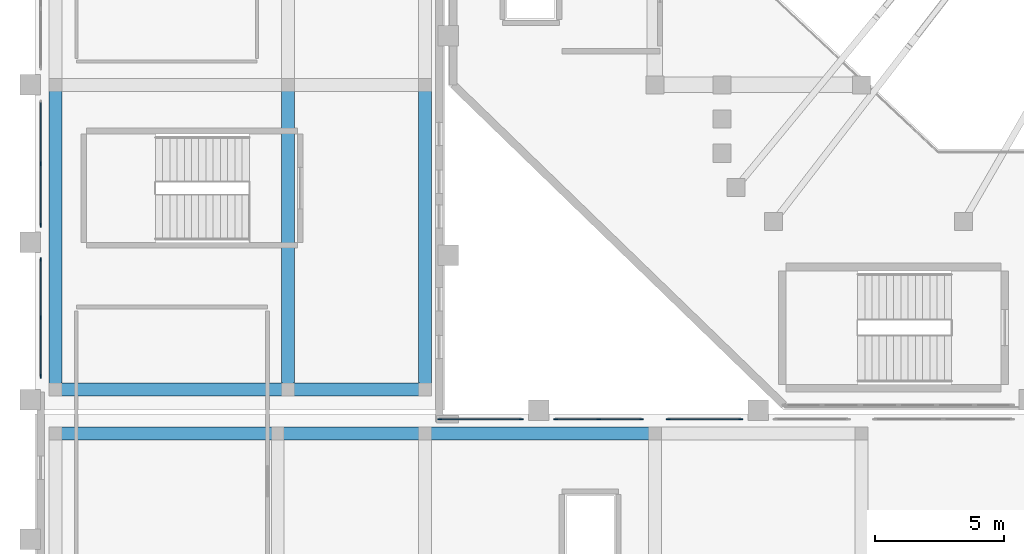
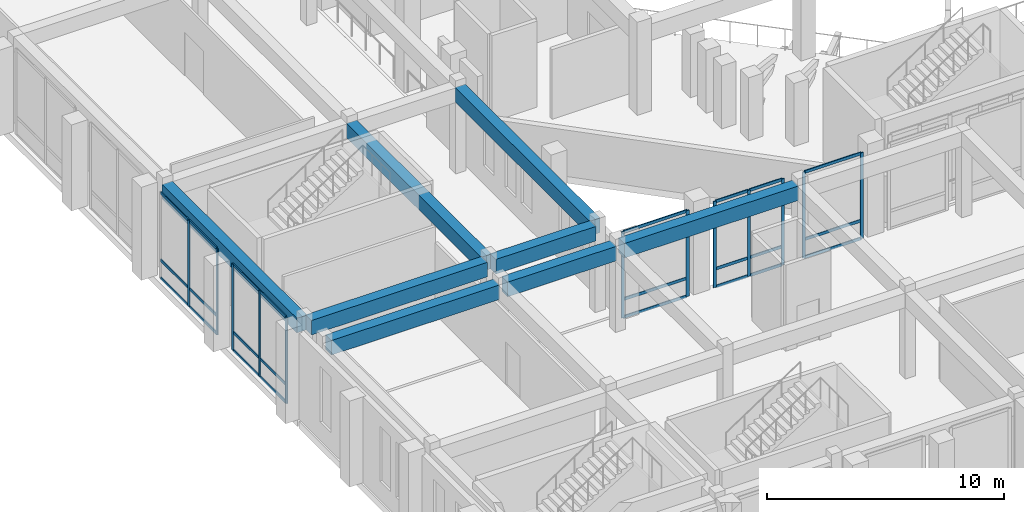
# One storey, part 5 of 79: 36 members, 8 beams, 5 elements without a shape of their own.
"""IFC4 building model written with IfcOpenShell, lengths in metres."""

from ifc_helpers import new_model, si_unit, derived_unit, direction, frame, origin, origin_2d, place, context, subcontext, project, spatial, rectangle, extrude, material, layer, layer_set, material_profile, profile_set, type_object, element, aggregate, save


model = new_model("IFC4")

# Units and contexts
model_context = context("Model", 3, precision=1e-05, world=origin(), true_north=direction((0.0, 1.0)))
body_context = subcontext(model_context, "Body", "Model", "MODEL_VIEW")
ifc_project = project(units=[si_unit("LENGTHUNIT", "METRE"), si_unit("AREAUNIT", "SQUARE_METRE"), si_unit("VOLUMEUNIT", "CUBIC_METRE"), si_unit("PLANEANGLEUNIT", "RADIAN"), si_unit("MASSUNIT", "GRAM", prefix="KILO"), derived_unit("THERMALTRANSMITTANCEUNIT", [(si_unit("MASSUNIT", "GRAM", prefix="KILO"), 1), (si_unit("TIMEUNIT", "SECOND"), -3), (si_unit("THERMODYNAMICTEMPERATUREUNIT", "KELVIN"), -1)])], contexts=[model_context])

# Site, building, storey
site_placement = place(None, origin())
site = spatial("IfcSite", under=ifc_project, at=site_placement, CompositionType="ELEMENT")
building_placement = place(site_placement, origin())
building = spatial("IfcBuilding", under=site, at=building_placement, Name="Valcora Ridge Arena", CompositionType="ELEMENT")
storey_placement = place(building_placement, frame((0.0, 0.0, 16.199951171875)))
storey = spatial("IfcBuildingStorey", under=building, at=storey_placement, Name="L03", CompositionType="ELEMENT", Elevation=16.199951171875)

# Beams
ifc_material_1 = material(Name="Concrete C40/50", Category="concrete")
ifc_material_profile_1 = material_profile(ifc_material_1, rectangle(XDim=0.5, YDim=0.75, at=origin_2d()), Name="RC 500x750")
ifc_profile_set_1 = profile_set([ifc_material_profile_1], Name="Concrete C40/50")
beam_type_1 = type_object("IfcBeamType", Name="TY-BEAM-B-RC500-X", PredefinedType="BEAM", material=ifc_profile_set_1)
beam_1_placement = place(storey_placement, frame((1.0, 19.10009765625, 4.06494140625), z_axis=(1.0, 0.0, 0.0), x_axis=(0.0, 1.0, 0.0)))
element("IfcBeam", 1, at=beam_1_placement, inside=storey, type_object=beam_type_1, Name="B-RC500-X BEM-B-RC500-X-0079", PredefinedType="BEAM", context=body_context, shape_type="SweptSolid", body=[
    extrude(rectangle(XDim=0.5, YDim=0.75, at=origin_2d()), origin(), (0.0, 0.0, 1.0), 8.199951171875),
])
beam_2_placement = place(storey_placement, frame((9.60009765625, 19.10009765625, 4.06494140625), z_axis=(1.0, 0.0, 0.0), x_axis=(0.0, 1.0, 0.0)))
element("IfcBeam", 2, at=beam_2_placement, inside=storey, type_object=beam_type_1, Name="B-RC500-X BEM-B-RC500-X-0080", PredefinedType="BEAM", context=body_context, shape_type="SweptSolid", body=[
    extrude(rectangle(XDim=0.5, YDim=0.75, at=origin_2d()), origin(), (0.0, 0.0, 1.0), 5.2998046875),
])
beam_3_placement = place(storey_placement, frame((15.300048828125, 19.10009765625, 4.06494140625), z_axis=(1.0, 0.0, 0.0), x_axis=(0.0, 1.0, 0.0)))
element("IfcBeam", 3, at=beam_3_placement, inside=storey, type_object=beam_type_1, Name="B-RC500-X BEM-B-RC500-X-0081", PredefinedType="BEAM", context=body_context, shape_type="SweptSolid", body=[
    extrude(rectangle(XDim=0.5, YDim=0.75, at=origin_2d()), origin(), (0.0, 0.0, 1.0), 8.5),
])
beam_4_placement = place(storey_placement, frame((1.0, 20.800048828125, 4.06494140625), z_axis=(1.0, 0.0, 0.0), x_axis=(0.0, 1.0, 0.0)))
element("IfcBeam", 4, at=beam_4_placement, inside=storey, type_object=beam_type_1, Name="B-RC500-X BEM-B-RC500-X-0083", PredefinedType="BEAM", context=body_context, shape_type="SweptSolid", body=[
    extrude(rectangle(XDim=0.5, YDim=0.75, at=origin_2d()), origin(), (0.0, 0.0, 1.0), 8.60009765625),
])
beam_5_placement = place(storey_placement, frame((10.0, 20.800048828125, 4.06494140625), z_axis=(1.0, 0.0, 0.0), x_axis=(0.0, 1.0, 0.0)))
element("IfcBeam", 5, at=beam_5_placement, inside=storey, type_object=beam_type_1, Name="B-RC500-X BEM-B-RC500-X-0084", PredefinedType="BEAM", context=body_context, shape_type="SweptSolid", body=[
    extrude(rectangle(XDim=0.5, YDim=0.75, at=origin_2d()), origin(), (0.0, 0.0, 1.0), 4.89990234375),
])
ifc_material_profile_2 = material_profile(ifc_material_1, rectangle(XDim=0.5, YDim=0.75, at=origin_2d()), Name="RC 500x750")
ifc_profile_set_2 = profile_set([ifc_material_profile_2], Name="Concrete C40/50")
beam_type_2 = type_object("IfcBeamType", Name="TY-BEAM-B-RC500-Y", PredefinedType="BEAM", material=ifc_profile_set_2)
for number, where, z_axis, x_axis, name in (
    (6, (0.800048828125, 21.0, 4.06494140625), (0.0, 1.0, 0.0), (-1.0, 0.0, 0.0), "B-RC500-Y BEM-B-RC500-Y-0094"),
    (7, (9.800048828125, 21.0, 4.06494140625), (0.0, 1.0, 0.0), (-1.0, 0.0, 0.0), "B-RC500-Y BEM-B-RC500-Y-0098"),
    (8, (15.10009765625, 21.0, 4.06494140625), (0.0, 1.0, 0.0), (-1.0, 0.0, 0.0), "B-RC500-Y BEM-B-RC500-Y-0101"),
):
    element("IfcBeam", number, at=place(storey_placement, frame(where, z_axis=z_axis, x_axis=x_axis)), inside=storey, type_object=beam_type_2, Name=name, PredefinedType="BEAM", context=body_context, shape_type="SweptSolid", body=[
        extrude(rectangle(XDim=0.5, YDim=0.75, at=origin_2d()), origin(), (0.0, 0.0, 1.0), 11.39990234375),
    ])

# Curtain wall, members
ifc_material_2 = material(Name="Anodised dark bronze architectural aluminium 6063-T6", Category="aluminium")
ifc_layer_1 = layer(ifc_material_2, 0.14990234375, Name="Anodised dark bronze architectural aluminium 6063-T6")
ifc_layer_set_1 = layer_set([ifc_layer_1], Name="Anodised dark bronze architectural aluminium 6063-T6")
curtain_wall_type_1 = type_object("IfcCurtainWallType", Name="TY-CURTAINWALL-CW-V4-CLUB-032X44", PredefinedType="NOTDEFINED", material=ifc_layer_set_1)
curtain_wall_1_placement = place(storey_placement, origin())
curtain_wall_1 = element("IfcCurtainWall", 9, at=curtain_wall_1_placement, inside=storey, type_object=curtain_wall_type_1, Name="CW-V4-CLUB-032X44 CW-0279", PredefinedType="NOTDEFINED")
ifc_material_profile_3 = material_profile(ifc_material_2, rectangle(XDim=0.050048828125, YDim=0.14990234375, at=origin_2d()), Name="ALU MULLION 50x150")
ifc_profile_set_3 = profile_set([ifc_material_profile_3], Name="Anodised dark bronze architectural aluminium 6063-T6")
member_type_1 = type_object("IfcMemberType", Name="TY-MEM-CWM-50x150", PredefinedType="MULLION", material=ifc_profile_set_3)
member_1_placement = place(storey_placement, frame((15.675048828125, 19.64990234375, 0.0), z_axis=(0.0, 0.0, 1.0), x_axis=(0.0, 1.0, 0.0)))
member_1 = element("IfcMember", 10, at=member_1_placement, type_object=member_type_1, Name="CW-0279/CWM-50x150/M00", PredefinedType="MULLION", context=body_context, shape_type="SweptSolid", body=[
    extrude(rectangle(XDim=0.050048828125, YDim=0.14990234375, at=origin_2d()), origin(), (0.0, 0.0, 1.0), 4.43994140625),
])
member_2_placement = place(storey_placement, frame((18.8349609375, 19.64990234375, 0.0), z_axis=(0.0, 0.0, 1.0), x_axis=(0.0, 1.0, 0.0)))
member_2 = element("IfcMember", 11, at=member_2_placement, type_object=member_type_1, Name="CW-0279/CWM-50x150/M01", PredefinedType="MULLION", context=body_context, shape_type="SweptSolid", body=[
    extrude(rectangle(XDim=0.050048828125, YDim=0.14990234375, at=origin_2d()), origin(), (0.0, 0.0, 1.0), 4.43994140625),
])

ifc_layer_2 = layer(ifc_material_2, 0.14990234375, Name="Anodised dark bronze architectural aluminium 6063-T6")
ifc_layer_set_2 = layer_set([ifc_layer_2], Name="Anodised dark bronze architectural aluminium 6063-T6")
curtain_wall_type_2 = type_object("IfcCurtainWallType", Name="TY-CURTAINWALL-CW-V4-CLUB-034X44", PredefinedType="NOTDEFINED", material=ifc_layer_set_2)
curtain_wall_2_placement = place(storey_placement, origin())
curtain_wall_2 = element("IfcCurtainWall", 12, at=curtain_wall_2_placement, inside=storey, type_object=curtain_wall_type_2, Name="CW-V4-CLUB-034X44 CW-0280", PredefinedType="NOTDEFINED")
member_3_placement = place(storey_placement, frame((20.1650390625, 19.64990234375, 0.0), z_axis=(0.0, 0.0, 1.0), x_axis=(0.0, 1.0, 0.0)))
member_3 = element("IfcMember", 13, at=member_3_placement, type_object=member_type_1, Name="CW-0280/CWM-50x150/M00", PredefinedType="MULLION", context=body_context, shape_type="SweptSolid", body=[
    extrude(rectangle(XDim=0.050048828125, YDim=0.14990234375, at=origin_2d()), origin(), (0.0, 0.0, 1.0), 4.43994140625),
])
member_4_placement = place(storey_placement, frame((21.824951171875, 19.64990234375, 0.0), z_axis=(0.0, 0.0, 1.0), x_axis=(0.0, 1.0, 0.0)))
member_4 = element("IfcMember", 14, at=member_4_placement, type_object=member_type_1, Name="CW-0280/CWM-50x150/M01", PredefinedType="MULLION", context=body_context, shape_type="SweptSolid", body=[
    extrude(rectangle(XDim=0.050048828125, YDim=0.14990234375, at=origin_2d()), origin(), (0.0, 0.0, 1.0), 4.43994140625),
])
member_5_placement = place(storey_placement, frame((23.485107421875, 19.64990234375, 0.0), z_axis=(0.0, 0.0, 1.0), x_axis=(0.0, 1.0, 0.0)))
member_5 = element("IfcMember", 15, at=member_5_placement, type_object=member_type_1, Name="CW-0280/CWM-50x150/M02", PredefinedType="MULLION", context=body_context, shape_type="SweptSolid", body=[
    extrude(rectangle(XDim=0.050048828125, YDim=0.14990234375, at=origin_2d()), origin(), (0.0, 0.0, 1.0), 4.43994140625),
])

ifc_layer_3 = layer(ifc_material_2, 0.14990234375, Name="Anodised dark bronze architectural aluminium 6063-T6")
ifc_layer_set_3 = layer_set([ifc_layer_3], Name="Anodised dark bronze architectural aluminium 6063-T6")
curtain_wall_type_3 = type_object("IfcCurtainWallType", Name="TY-CURTAINWALL-CW-V4-CLUB-029X44", PredefinedType="NOTDEFINED", material=ifc_layer_set_3)
curtain_wall_3_placement = place(storey_placement, origin())
curtain_wall_3 = element("IfcCurtainWall", 16, at=curtain_wall_3_placement, inside=storey, type_object=curtain_wall_type_3, Name="CW-V4-CLUB-029X44 CW-0281", PredefinedType="NOTDEFINED")
member_6_placement = place(storey_placement, frame((24.514892578125, 19.64990234375, 0.0), z_axis=(0.0, 0.0, 1.0), x_axis=(0.0, 1.0, 0.0)))
member_6 = element("IfcMember", 17, at=member_6_placement, type_object=member_type_1, Name="CW-0281/CWM-50x150/M00", PredefinedType="MULLION", context=body_context, shape_type="SweptSolid", body=[
    extrude(rectangle(XDim=0.050048828125, YDim=0.14990234375, at=origin_2d()), origin(), (0.0, 0.0, 1.0), 4.43994140625),
])
member_7_placement = place(storey_placement, frame((27.3349609375, 19.64990234375, 0.0), z_axis=(0.0, 0.0, 1.0), x_axis=(0.0, 1.0, 0.0)))
member_7 = element("IfcMember", 18, at=member_7_placement, type_object=member_type_1, Name="CW-0281/CWM-50x150/M01", PredefinedType="MULLION", context=body_context, shape_type="SweptSolid", body=[
    extrude(rectangle(XDim=0.050048828125, YDim=0.14990234375, at=origin_2d()), origin(), (0.0, 0.0, 1.0), 4.43994140625),
])

ifc_layer_4 = layer(ifc_material_2, 0.14990234375, Name="Anodised dark bronze architectural aluminium 6063-T6")
ifc_layer_set_4 = layer_set([ifc_layer_4], Name="Anodised dark bronze architectural aluminium 6063-T6")
curtain_wall_type_4 = type_object("IfcCurtainWallType", Name="TY-CURTAINWALL-CW-V4-CLUB-046X44", PredefinedType="NOTDEFINED", material=ifc_layer_set_4)
curtain_wall_4_placement = place(storey_placement, origin())
curtain_wall_4 = element("IfcCurtainWall", 19, at=curtain_wall_4_placement, inside=storey, type_object=curtain_wall_type_4, Name="CW-V4-CLUB-046X44 CW-0285", PredefinedType="NOTDEFINED")
member_8_placement = place(storey_placement, frame((0.219970703125, 21.31494140625, 0.0), z_axis=(0.0, 0.0, 1.0), x_axis=(-1.0, 0.0, 0.0)))
member_8 = element("IfcMember", 20, at=member_8_placement, type_object=member_type_1, Name="CW-0285/CWM-50x150/M00", PredefinedType="MULLION", context=body_context, shape_type="SweptSolid", body=[
    extrude(rectangle(XDim=0.050048828125, YDim=0.14990234375, at=origin_2d()), origin(), (0.0, 0.0, 1.0), 4.43994140625),
])
member_9_placement = place(storey_placement, frame((0.219970703125, 23.574951171875, 0.0), z_axis=(0.0, 0.0, 1.0), x_axis=(-1.0, 0.0, 0.0)))
member_9 = element("IfcMember", 21, at=member_9_placement, type_object=member_type_1, Name="CW-0285/CWM-50x150/M01", PredefinedType="MULLION", context=body_context, shape_type="SweptSolid", body=[
    extrude(rectangle(XDim=0.050048828125, YDim=0.14990234375, at=origin_2d()), origin(), (0.0, 0.0, 1.0), 4.43994140625),
])
member_10_placement = place(storey_placement, frame((0.219970703125, 25.8349609375, 0.0), z_axis=(0.0, 0.0, 1.0), x_axis=(-1.0, 0.0, 0.0)))
member_10 = element("IfcMember", 22, at=member_10_placement, type_object=member_type_1, Name="CW-0285/CWM-50x150/M02", PredefinedType="MULLION", context=body_context, shape_type="SweptSolid", body=[
    extrude(rectangle(XDim=0.050048828125, YDim=0.14990234375, at=origin_2d()), origin(), (0.0, 0.0, 1.0), 4.43994140625),
])

ifc_layer_5 = layer(ifc_material_2, 0.14990234375, Name="Anodised dark bronze architectural aluminium 6063-T6")
ifc_layer_set_5 = layer_set([ifc_layer_5], Name="Anodised dark bronze architectural aluminium 6063-T6")
curtain_wall_type_5 = type_object("IfcCurtainWallType", Name="TY-CURTAINWALL-CW-V4-CLUB-048X44", PredefinedType="NOTDEFINED", material=ifc_layer_set_5)
curtain_wall_5_placement = place(storey_placement, origin())
curtain_wall_5 = element("IfcCurtainWall", 23, at=curtain_wall_5_placement, inside=storey, type_object=curtain_wall_type_5, Name="CW-V4-CLUB-048X44 CW-0286", PredefinedType="NOTDEFINED")
member_11_placement = place(storey_placement, frame((0.219970703125, 27.1650390625, 0.0), z_axis=(0.0, 0.0, 1.0), x_axis=(-1.0, 0.0, 0.0)))
member_11 = element("IfcMember", 24, at=member_11_placement, type_object=member_type_1, Name="CW-0286/CWM-50x150/M00", PredefinedType="MULLION", context=body_context, shape_type="SweptSolid", body=[
    extrude(rectangle(XDim=0.050048828125, YDim=0.14990234375, at=origin_2d()), origin(), (0.0, 0.0, 1.0), 4.43994140625),
])
member_12_placement = place(storey_placement, frame((0.219970703125, 29.550048828125, 0.0), z_axis=(0.0, 0.0, 1.0), x_axis=(-1.0, 0.0, 0.0)))
member_12 = element("IfcMember", 25, at=member_12_placement, type_object=member_type_1, Name="CW-0286/CWM-50x150/M01", PredefinedType="MULLION", context=body_context, shape_type="SweptSolid", body=[
    extrude(rectangle(XDim=0.050048828125, YDim=0.14990234375, at=origin_2d()), origin(), (0.0, 0.0, 1.0), 4.43994140625),
])

# Member
ifc_material_profile_4 = material_profile(ifc_material_2, rectangle(XDim=0.050048828125, YDim=0.14990234375, at=origin_2d()), Name="ALU TRANSOM 50x150")
ifc_profile_set_4 = profile_set([ifc_material_profile_4], Name="Anodised dark bronze architectural aluminium 6063-T6")
member_type_2 = type_object("IfcMemberType", Name="TY-MEM-CWT-50x150", PredefinedType="USERDEFINED", material=ifc_profile_set_4)
member_13_placement = place(storey_placement, frame((15.699951171875, 19.64990234375, 0.025146484375), z_axis=(1.0, 0.0, 0.0), x_axis=(0.0, 1.0, 0.0)))
member_13 = element("IfcMember", 26, at=member_13_placement, type_object=member_type_2, Name="CW-0279/CWT-50x150/T00-00", ObjectType="TRANSOM", PredefinedType="USERDEFINED", context=body_context, shape_type="SweptSolid", body=[
    extrude(rectangle(XDim=0.050048828125, YDim=0.14990234375, at=origin_2d()), origin(), (0.0, 0.0, 1.0), 3.110107421875),
])

member_14_placement = place(storey_placement, frame((15.699951171875, 19.64990234375, 0.949951171875), z_axis=(1.0, 0.0, 0.0), x_axis=(0.0, 1.0, 0.0)))
member_14 = element("IfcMember", 27, at=member_14_placement, type_object=member_type_2, Name="CW-0279/CWT-50x150/T00-01", ObjectType="TRANSOM", PredefinedType="USERDEFINED", context=body_context, shape_type="SweptSolid", body=[
    extrude(rectangle(XDim=0.050048828125, YDim=0.14990234375, at=origin_2d()), origin(), (0.0, 0.0, 1.0), 3.110107421875),
])

member_15_placement = place(storey_placement, frame((15.699951171875, 19.64990234375, 4.4150390625), z_axis=(1.0, 0.0, 0.0), x_axis=(0.0, 1.0, 0.0)))
member_15 = element("IfcMember", 28, at=member_15_placement, type_object=member_type_2, Name="CW-0279/CWT-50x150/T00-02", ObjectType="TRANSOM", PredefinedType="USERDEFINED", context=body_context, shape_type="SweptSolid", body=[
    extrude(rectangle(XDim=0.050048828125, YDim=0.14990234375, at=origin_2d()), origin(), (0.0, 0.0, 1.0), 3.110107421875),
])

aggregate(curtain_wall_1, [member_1, member_2, member_13, member_14, member_15])

member_16_placement = place(storey_placement, frame((20.18994140625, 19.64990234375, 0.025146484375), z_axis=(1.0, 0.0, 0.0), x_axis=(0.0, 1.0, 0.0)))
member_16 = element("IfcMember", 29, at=member_16_placement, type_object=member_type_2, Name="CW-0280/CWT-50x150/T00-00", ObjectType="TRANSOM", PredefinedType="USERDEFINED", context=body_context, shape_type="SweptSolid", body=[
    extrude(rectangle(XDim=0.050048828125, YDim=0.14990234375, at=origin_2d()), origin(), (0.0, 0.0, 1.0), 1.610107421875),
])

member_17_placement = place(storey_placement, frame((20.18994140625, 19.64990234375, 0.949951171875), z_axis=(1.0, 0.0, 0.0), x_axis=(0.0, 1.0, 0.0)))
member_17 = element("IfcMember", 30, at=member_17_placement, type_object=member_type_2, Name="CW-0280/CWT-50x150/T00-01", ObjectType="TRANSOM", PredefinedType="USERDEFINED", context=body_context, shape_type="SweptSolid", body=[
    extrude(rectangle(XDim=0.050048828125, YDim=0.14990234375, at=origin_2d()), origin(), (0.0, 0.0, 1.0), 1.610107421875),
])

member_18_placement = place(storey_placement, frame((20.18994140625, 19.64990234375, 4.4150390625), z_axis=(1.0, 0.0, 0.0), x_axis=(0.0, 1.0, 0.0)))
member_18 = element("IfcMember", 31, at=member_18_placement, type_object=member_type_2, Name="CW-0280/CWT-50x150/T00-02", ObjectType="TRANSOM", PredefinedType="USERDEFINED", context=body_context, shape_type="SweptSolid", body=[
    extrude(rectangle(XDim=0.050048828125, YDim=0.14990234375, at=origin_2d()), origin(), (0.0, 0.0, 1.0), 1.610107421875),
])

member_19_placement = place(storey_placement, frame((21.85009765625, 19.64990234375, 0.025146484375), z_axis=(1.0, 0.0, 0.0), x_axis=(0.0, 1.0, 0.0)))
member_19 = element("IfcMember", 32, at=member_19_placement, type_object=member_type_2, Name="CW-0280/CWT-50x150/T01-00", ObjectType="TRANSOM", PredefinedType="USERDEFINED", context=body_context, shape_type="SweptSolid", body=[
    extrude(rectangle(XDim=0.050048828125, YDim=0.14990234375, at=origin_2d()), origin(), (0.0, 0.0, 1.0), 1.60986328125),
])

member_20_placement = place(storey_placement, frame((21.85009765625, 19.64990234375, 0.949951171875), z_axis=(1.0, 0.0, 0.0), x_axis=(0.0, 1.0, 0.0)))
member_20 = element("IfcMember", 33, at=member_20_placement, type_object=member_type_2, Name="CW-0280/CWT-50x150/T01-01", ObjectType="TRANSOM", PredefinedType="USERDEFINED", context=body_context, shape_type="SweptSolid", body=[
    extrude(rectangle(XDim=0.050048828125, YDim=0.14990234375, at=origin_2d()), origin(), (0.0, 0.0, 1.0), 1.60986328125),
])

member_21_placement = place(storey_placement, frame((21.85009765625, 19.64990234375, 4.4150390625), z_axis=(1.0, 0.0, 0.0), x_axis=(0.0, 1.0, 0.0)))
member_21 = element("IfcMember", 34, at=member_21_placement, type_object=member_type_2, Name="CW-0280/CWT-50x150/T01-02", ObjectType="TRANSOM", PredefinedType="USERDEFINED", context=body_context, shape_type="SweptSolid", body=[
    extrude(rectangle(XDim=0.050048828125, YDim=0.14990234375, at=origin_2d()), origin(), (0.0, 0.0, 1.0), 1.60986328125),
])

aggregate(curtain_wall_2, [member_3, member_4, member_5, member_16, member_17, member_18, member_19, member_20, member_21])

member_22_placement = place(storey_placement, frame((24.5400390625, 19.64990234375, 0.025146484375), z_axis=(1.0, 0.0, 0.0), x_axis=(0.0, 1.0, 0.0)))
member_22 = element("IfcMember", 35, at=member_22_placement, type_object=member_type_2, Name="CW-0281/CWT-50x150/T00-00", ObjectType="TRANSOM", PredefinedType="USERDEFINED", context=body_context, shape_type="SweptSolid", body=[
    extrude(rectangle(XDim=0.050048828125, YDim=0.14990234375, at=origin_2d()), origin(), (0.0, 0.0, 1.0), 2.77001953125),
])

member_23_placement = place(storey_placement, frame((24.5400390625, 19.64990234375, 0.949951171875), z_axis=(1.0, 0.0, 0.0), x_axis=(0.0, 1.0, 0.0)))
member_23 = element("IfcMember", 36, at=member_23_placement, type_object=member_type_2, Name="CW-0281/CWT-50x150/T00-01", ObjectType="TRANSOM", PredefinedType="USERDEFINED", context=body_context, shape_type="SweptSolid", body=[
    extrude(rectangle(XDim=0.050048828125, YDim=0.14990234375, at=origin_2d()), origin(), (0.0, 0.0, 1.0), 2.77001953125),
])

member_24_placement = place(storey_placement, frame((24.5400390625, 19.64990234375, 4.4150390625), z_axis=(1.0, 0.0, 0.0), x_axis=(0.0, 1.0, 0.0)))
member_24 = element("IfcMember", 37, at=member_24_placement, type_object=member_type_2, Name="CW-0281/CWT-50x150/T00-02", ObjectType="TRANSOM", PredefinedType="USERDEFINED", context=body_context, shape_type="SweptSolid", body=[
    extrude(rectangle(XDim=0.050048828125, YDim=0.14990234375, at=origin_2d()), origin(), (0.0, 0.0, 1.0), 2.77001953125),
])

aggregate(curtain_wall_3, [member_6, member_7, member_22, member_23, member_24])

member_25_placement = place(storey_placement, frame((0.219970703125, 21.340087890625, 0.025146484375), z_axis=(0.0, 1.0, 0.0), x_axis=(-1.0, 0.0, 0.0)))
member_25 = element("IfcMember", 38, at=member_25_placement, type_object=member_type_2, Name="CW-0285/CWT-50x150/T00-00", ObjectType="TRANSOM", PredefinedType="USERDEFINED", context=body_context, shape_type="SweptSolid", body=[
    extrude(rectangle(XDim=0.050048828125, YDim=0.14990234375, at=origin_2d()), origin(), (0.0, 0.0, 1.0), 2.2099609375),
])

member_26_placement = place(storey_placement, frame((0.219970703125, 21.340087890625, 0.949951171875), z_axis=(0.0, 1.0, 0.0), x_axis=(-1.0, 0.0, 0.0)))
member_26 = element("IfcMember", 39, at=member_26_placement, type_object=member_type_2, Name="CW-0285/CWT-50x150/T00-01", ObjectType="TRANSOM", PredefinedType="USERDEFINED", context=body_context, shape_type="SweptSolid", body=[
    extrude(rectangle(XDim=0.050048828125, YDim=0.14990234375, at=origin_2d()), origin(), (0.0, 0.0, 1.0), 2.2099609375),
])

member_27_placement = place(storey_placement, frame((0.219970703125, 21.340087890625, 4.4150390625), z_axis=(0.0, 1.0, 0.0), x_axis=(-1.0, 0.0, 0.0)))
member_27 = element("IfcMember", 40, at=member_27_placement, type_object=member_type_2, Name="CW-0285/CWT-50x150/T00-02", ObjectType="TRANSOM", PredefinedType="USERDEFINED", context=body_context, shape_type="SweptSolid", body=[
    extrude(rectangle(XDim=0.050048828125, YDim=0.14990234375, at=origin_2d()), origin(), (0.0, 0.0, 1.0), 2.2099609375),
])

member_28_placement = place(storey_placement, frame((0.219970703125, 23.60009765625, 0.025146484375), z_axis=(0.0, 1.0, 0.0), x_axis=(-1.0, 0.0, 0.0)))
member_28 = element("IfcMember", 41, at=member_28_placement, type_object=member_type_2, Name="CW-0285/CWT-50x150/T01-00", ObjectType="TRANSOM", PredefinedType="USERDEFINED", context=body_context, shape_type="SweptSolid", body=[
    extrude(rectangle(XDim=0.050048828125, YDim=0.14990234375, at=origin_2d()), origin(), (0.0, 0.0, 1.0), 2.2099609375),
])

member_29_placement = place(storey_placement, frame((0.219970703125, 23.60009765625, 0.949951171875), z_axis=(0.0, 1.0, 0.0), x_axis=(-1.0, 0.0, 0.0)))
member_29 = element("IfcMember", 42, at=member_29_placement, type_object=member_type_2, Name="CW-0285/CWT-50x150/T01-01", ObjectType="TRANSOM", PredefinedType="USERDEFINED", context=body_context, shape_type="SweptSolid", body=[
    extrude(rectangle(XDim=0.050048828125, YDim=0.14990234375, at=origin_2d()), origin(), (0.0, 0.0, 1.0), 2.2099609375),
])

member_30_placement = place(storey_placement, frame((0.219970703125, 23.60009765625, 4.4150390625), z_axis=(0.0, 1.0, 0.0), x_axis=(-1.0, 0.0, 0.0)))
member_30 = element("IfcMember", 43, at=member_30_placement, type_object=member_type_2, Name="CW-0285/CWT-50x150/T01-02", ObjectType="TRANSOM", PredefinedType="USERDEFINED", context=body_context, shape_type="SweptSolid", body=[
    extrude(rectangle(XDim=0.050048828125, YDim=0.14990234375, at=origin_2d()), origin(), (0.0, 0.0, 1.0), 2.2099609375),
])

aggregate(curtain_wall_4, [member_8, member_9, member_10, member_25, member_26, member_27, member_28, member_29, member_30])

member_31_placement = place(storey_placement, frame((0.219970703125, 27.18994140625, 0.025146484375), z_axis=(0.0, 1.0, 0.0), x_axis=(-1.0, 0.0, 0.0)))
member_31 = element("IfcMember", 44, at=member_31_placement, type_object=member_type_2, Name="CW-0286/CWT-50x150/T00-00", ObjectType="TRANSOM", PredefinedType="USERDEFINED", context=body_context, shape_type="SweptSolid", body=[
    extrude(rectangle(XDim=0.050048828125, YDim=0.14990234375, at=origin_2d()), origin(), (0.0, 0.0, 1.0), 2.3349609375),
])

member_32_placement = place(storey_placement, frame((0.219970703125, 27.18994140625, 0.949951171875), z_axis=(0.0, 1.0, 0.0), x_axis=(-1.0, 0.0, 0.0)))
member_32 = element("IfcMember", 45, at=member_32_placement, type_object=member_type_2, Name="CW-0286/CWT-50x150/T00-01", ObjectType="TRANSOM", PredefinedType="USERDEFINED", context=body_context, shape_type="SweptSolid", body=[
    extrude(rectangle(XDim=0.050048828125, YDim=0.14990234375, at=origin_2d()), origin(), (0.0, 0.0, 1.0), 2.3349609375),
])

member_33_placement = place(storey_placement, frame((0.219970703125, 27.18994140625, 4.4150390625), z_axis=(0.0, 1.0, 0.0), x_axis=(-1.0, 0.0, 0.0)))
member_33 = element("IfcMember", 46, at=member_33_placement, type_object=member_type_2, Name="CW-0286/CWT-50x150/T00-02", ObjectType="TRANSOM", PredefinedType="USERDEFINED", context=body_context, shape_type="SweptSolid", body=[
    extrude(rectangle(XDim=0.050048828125, YDim=0.14990234375, at=origin_2d()), origin(), (0.0, 0.0, 1.0), 2.3349609375),
])

member_34_placement = place(storey_placement, frame((0.219970703125, 29.574951171875, 0.025146484375), z_axis=(0.0, 1.0, 0.0), x_axis=(-1.0, 0.0, 0.0)))
member_34 = element("IfcMember", 47, at=member_34_placement, type_object=member_type_2, Name="CW-0286/CWT-50x150/T01-00", ObjectType="TRANSOM", PredefinedType="USERDEFINED", context=body_context, shape_type="SweptSolid", body=[
    extrude(rectangle(XDim=0.050048828125, YDim=0.14990234375, at=origin_2d()), origin(), (0.0, 0.0, 1.0), 2.3349609375),
])

member_35_placement = place(storey_placement, frame((0.219970703125, 29.574951171875, 0.949951171875), z_axis=(0.0, 1.0, 0.0), x_axis=(-1.0, 0.0, 0.0)))
member_35 = element("IfcMember", 48, at=member_35_placement, type_object=member_type_2, Name="CW-0286/CWT-50x150/T01-01", ObjectType="TRANSOM", PredefinedType="USERDEFINED", context=body_context, shape_type="SweptSolid", body=[
    extrude(rectangle(XDim=0.050048828125, YDim=0.14990234375, at=origin_2d()), origin(), (0.0, 0.0, 1.0), 2.3349609375),
])

member_36_placement = place(storey_placement, frame((0.219970703125, 29.574951171875, 4.4150390625), z_axis=(0.0, 1.0, 0.0), x_axis=(-1.0, 0.0, 0.0)))
member_36 = element("IfcMember", 49, at=member_36_placement, type_object=member_type_2, Name="CW-0286/CWT-50x150/T01-02", ObjectType="TRANSOM", PredefinedType="USERDEFINED", context=body_context, shape_type="SweptSolid", body=[
    extrude(rectangle(XDim=0.050048828125, YDim=0.14990234375, at=origin_2d()), origin(), (0.0, 0.0, 1.0), 2.3349609375),
])

aggregate(curtain_wall_5, [member_11, member_12, member_31, member_32, member_33, member_34, member_35, member_36])

save(model, "model.ifc")
